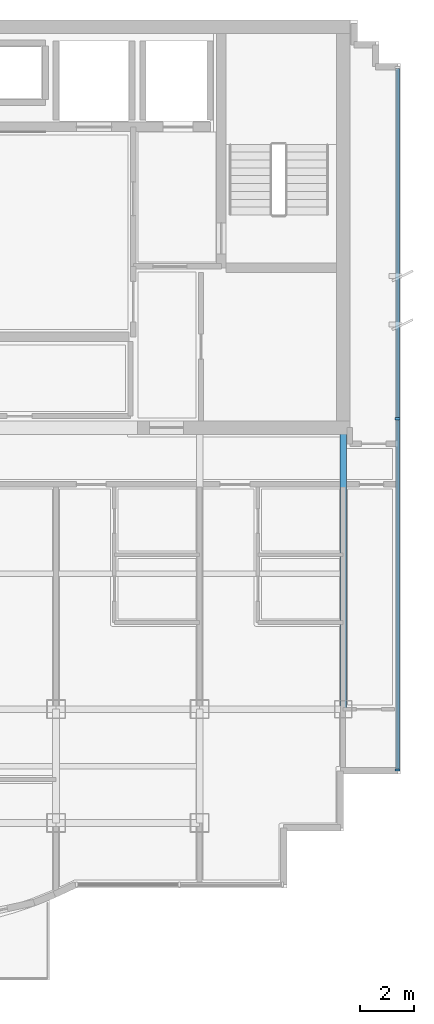
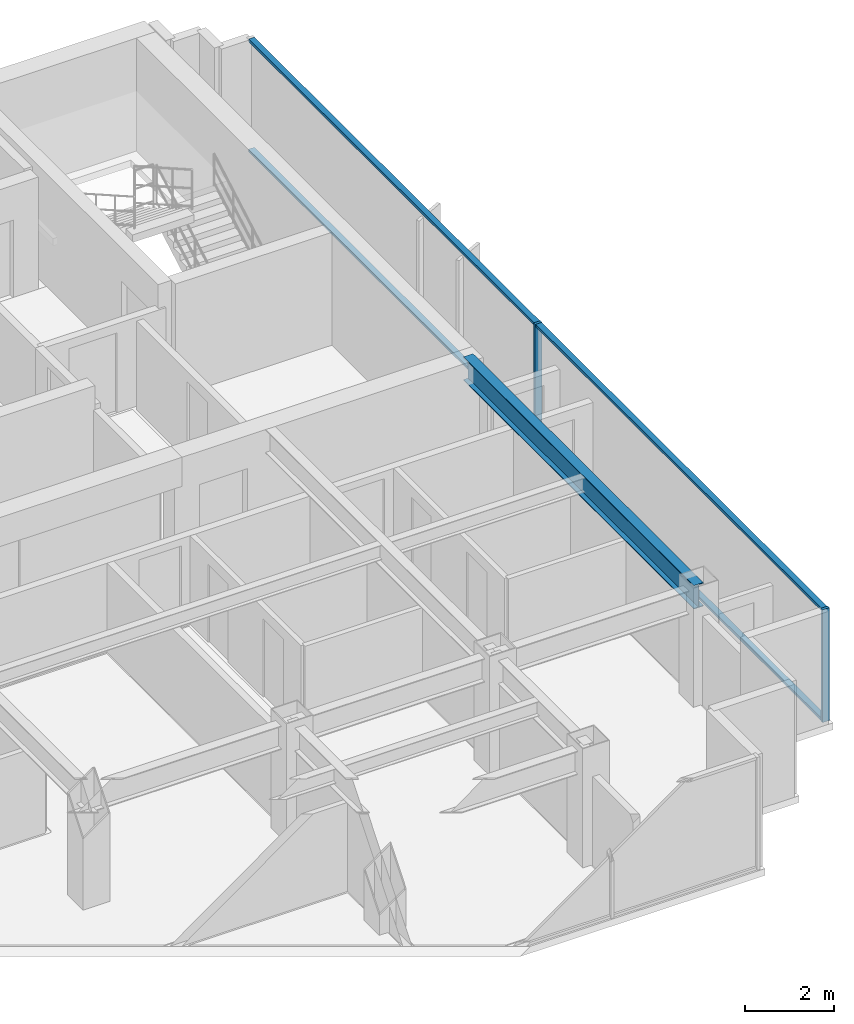
# One storey, part 3 of 10: 6 members, 1 beam, 1 element without a shape of its own.
"""IFC4 building model written with IfcOpenShell, lengths in metres."""

import ifcopenshell
import ifcopenshell.guid

model = None  # the IFC model being written
_history = None  # IfcOwnerHistory: only IFC2X3 demands one
_inside = {}  # id of a spatial element -> (the spatial element, [elements in it])
_under = {}  # id of a project, library or spatial element -> (it, [spatial elements below it])
_declared = {}  # id of a project -> (the project, [libraries it declares])
_typed = {}  # id of a type object -> (the type object, [elements of that type])
_made_of = {}  # id of a material, layer set ... -> (it, [elements and type objects made of it])


def new_model(schema):
    """Start an empty IFC model of exactly this schema.

    Asked for "IFC4X3", IfcOpenShell would pick the latest addendum, in which some entities
    have other attributes; the version numbers below select the first issue.
    IFC2X3 requires an IfcOwnerHistory on every rooted entity: one is made here for all.
    """
    global model, _history
    if schema == "IFC4X3":
        model = ifcopenshell.file(schema_version=(4, 3, 0, 0))
    else:
        model = ifcopenshell.file(schema=schema)
    _inside.clear()
    _under.clear()
    _declared.clear()
    _typed.clear()
    _made_of.clear()
    _history = None
    if model.schema == "IFC2X3":
        org = make("IfcOrganization", Name="unknown")
        user = make(
            "IfcPersonAndOrganization",
            ThePerson=make("IfcPerson", FamilyName="unknown"),
            TheOrganization=org,
        )
        app = make(
            "IfcApplication",
            ApplicationDeveloper=org,
            Version="unknown",
            ApplicationFullName="unknown",
            ApplicationIdentifier="unknown",
        )
        _history = make(
            "IfcOwnerHistory",
            OwningUser=user,
            OwningApplication=app,
            ChangeAction="ADDED",
            CreationDate=0,
        )
    return model


def make(cls, **values):
    """One entity of the class cls with the attributes given. An attribute that is None is left unset."""
    return model.create_entity(
        cls, **{name: value for name, value in values.items() if value is not None}
    )


def rooted(cls, **values):
    """An entity with a GlobalId (a new one), such as an element, a storey or a relation."""
    return make(cls, GlobalId=ifcopenshell.guid.new(), OwnerHistory=_history, **values)


def si_unit(unit_type, name, prefix=None):
    """IfcSIUnit, for example si_unit("LENGTHUNIT", "METRE", prefix="MILLI")."""
    return make("IfcSIUnit", UnitType=unit_type, Prefix=prefix, Name=name)


def assignment(units):
    """IfcUnitAssignment: the units of a project."""
    return None if units is None else make("IfcUnitAssignment", Units=units)


def point(xyz):
    """IfcCartesianPoint."""
    return None if xyz is None else make("IfcCartesianPoint", Coordinates=xyz)


def direction(xyz):
    """IfcDirection."""
    return None if xyz is None else make("IfcDirection", DirectionRatios=xyz)


def frame(location, z_axis=None, x_axis=None):
    """IfcAxis2Placement3D, a coordinate frame: its origin and axes. An axis left out is left unset."""
    return make(
        "IfcAxis2Placement3D",
        Location=point(location),
        Axis=direction(z_axis),
        RefDirection=direction(x_axis),
    )


def frame_2d(location, x_axis=None):
    """IfcAxis2Placement2D, a coordinate frame in the plane: its origin and x axis."""
    return make(
        "IfcAxis2Placement2D", Location=point(location), RefDirection=direction(x_axis)
    )


def origin():
    """The frame at (0, 0, 0) with its axes left unset."""
    return frame((0.0, 0.0, 0.0))


def origin_2d():
    """The frame at (0, 0) in the plane with its x axis left unset."""
    return frame_2d((0.0, 0.0))


def place(relative_to, where):
    """IfcLocalPlacement: puts the frame where relative to a parent placement (None: the world)."""
    return make(
        "IfcLocalPlacement", PlacementRelTo=relative_to, RelativePlacement=where
    )


def context(
    kind, dimensions, precision=None, world=None, true_north=None, identifier=None
):
    """IfcGeometricRepresentationContext, for example the 3D "Model" context."""
    return make(
        "IfcGeometricRepresentationContext",
        ContextIdentifier=identifier,
        ContextType=kind,
        CoordinateSpaceDimension=dimensions,
        Precision=precision,
        WorldCoordinateSystem=world,
        TrueNorth=true_north,
    )


def subcontext(parent, identifier, kind, view, scale=None):
    """IfcGeometricRepresentationSubContext, for example "Body" below "Model"."""
    return make(
        "IfcGeometricRepresentationSubContext",
        ContextIdentifier=identifier,
        ContextType=kind,
        ParentContext=parent,
        TargetScale=scale,
        TargetView=view,
    )


def project(units=None, contexts=None):
    """IfcProject with its units and contexts."""
    return rooted(
        "IfcProject",
        Name="project",
        RepresentationContexts=contexts,
        UnitsInContext=assignment(units),
    )


def spatial(cls, under=None, at=None, **own):
    """A site, building, storey or space (cls), placed at a placement, below another one or the project."""
    s = rooted(cls, ObjectPlacement=at, **own)
    if under is not None:
        _under.setdefault(under.id(), (under, []))[1].append(s)
    return s


def profile(cls, at=None, kind="AREA", **sizes):
    """A parametric profile (cls). Its sizes go by their IFC names, for example OverallWidth=200.0."""
    return make(cls, ProfileType=kind, Position=at, **sizes)


def rectangle(**sizes):
    """IfcRectangleProfileDef."""
    return profile("IfcRectangleProfileDef", **sizes)


def i_section(**sizes):
    """IfcIShapeProfileDef."""
    return profile("IfcIShapeProfileDef", **sizes)


def extrude(swept, where, along, depth):
    """IfcExtrudedAreaSolid: the profile swept, set in the frame where, extruded along a direction by depth."""
    return make(
        "IfcExtrudedAreaSolid",
        SweptArea=swept,
        Position=where,
        ExtrudedDirection=direction(along),
        Depth=depth,
    )


def shape(context_of_items, identifier, shape_type, items):
    """IfcShapeRepresentation: the items that make up one representation, for example the "Body"."""
    return make(
        "IfcShapeRepresentation",
        ContextOfItems=context_of_items,
        RepresentationIdentifier=identifier,
        RepresentationType=shape_type,
        Items=items,
    )


def source(mapping_origin, context_of_items, identifier, shape_type, items):
    """IfcRepresentationMap: a shape defined once, which mapped items show again and again."""
    return make(
        "IfcRepresentationMap",
        MappingOrigin=mapping_origin,
        MappedRepresentation=shape(context_of_items, identifier, shape_type, items),
    )


def transform(
    local_origin,
    x_axis=None,
    y_axis=None,
    z_axis=None,
    scale=None,
    scale2=None,
    scale3=None,
    uniform=True,
):
    """IfcCartesianTransformationOperator3D, or its non-uniform kind. x_axis, y_axis, z_axis: its Axis1, 2, 3."""
    if uniform:
        return make(
            "IfcCartesianTransformationOperator3D",
            Axis1=direction(x_axis),
            Axis2=direction(y_axis),
            LocalOrigin=point(local_origin),
            Scale=scale,
            Axis3=direction(z_axis),
        )
    return make(
        "IfcCartesianTransformationOperator3DnonUniform",
        Axis1=direction(x_axis),
        Axis2=direction(y_axis),
        LocalOrigin=point(local_origin),
        Scale=scale,
        Axis3=direction(z_axis),
        Scale2=scale2,
        Scale3=scale3,
    )


def mapped(mapping_source, mapping_target):
    """IfcMappedItem: shows the shape of a source again, moved by a transform."""
    return make(
        "IfcMappedItem", MappingSource=mapping_source, MappingTarget=mapping_target
    )


def material(Name=None, Category=None):
    """IfcMaterial."""
    return make("IfcMaterial", Name=Name, Category=Category)


def layer(
    of_material, thickness, ventilated=None, Name=None, Category=None, Priority=None
):
    """IfcMaterialLayer: one layer of a wall or slab, of a material (None: an air gap)."""
    return make(
        "IfcMaterialLayer",
        Material=of_material,
        LayerThickness=thickness,
        IsVentilated=ventilated,
        Name=Name,
        Category=Category,
        Priority=Priority,
    )


def layer_set(layers, Name=None):
    """IfcMaterialLayerSet."""
    return make("IfcMaterialLayerSet", MaterialLayers=layers, LayerSetName=Name)


def material_profile(
    of_material, cross_section, Name=None, Category=None, Priority=None
):
    """IfcMaterialProfile: a cross section and its material."""
    return make(
        "IfcMaterialProfile",
        Name=Name,
        Material=of_material,
        Profile=cross_section,
        Priority=Priority,
        Category=Category,
    )


def profile_set(profiles, Name=None, composite=None):
    """IfcMaterialProfileSet."""
    return make(
        "IfcMaterialProfileSet",
        Name=Name,
        MaterialProfiles=profiles,
        CompositeProfile=composite,
    )


def made_of(thing, what):
    """Note that an element or type object is made of a material, layer set ...; save() writes the relation."""
    if what is not None:
        _made_of.setdefault(what.id(), (what, []))[1].append(thing)
    return thing


def type_object(cls, material=None, **own):
    """A type object (cls), such as IfcWallType, which elements share."""
    return made_of(rooted(cls, **own), material)


def element(
    cls,
    number,
    at=None,
    inside=None,
    cuts=None,
    type_object=None,
    material=None,
    context=None,
    identifier="Body",
    shape_type=None,
    held_by="IfcProductDefinitionShape",
    body=None,
    shapes=None,
    **own,
):
    """One element of the class cls, such as IfcWall. Its Tag is "e" and its number.

    at: its placement. inside: the storey or other place that contains it. cuts: it is an
    opening in that element (IfcRelVoidsElement). A single representation is given by context,
    identifier, shape_type and body (its items); several are given by shapes. held_by: the class
    of the entity that holds the representations. save() writes the other relations.
    """
    e = rooted(cls, Tag="e%d" % number, ObjectPlacement=at, **own)
    if body is not None:
        shapes = [shape(context, identifier, shape_type, body)]
    if shapes is not None:
        e.Representation = make(held_by, Representations=shapes)
    if inside is not None:
        _inside.setdefault(inside.id(), (inside, []))[1].append(e)
    if cuts is not None:
        rooted(
            "IfcRelVoidsElement", RelatingBuildingElement=cuts, RelatedOpeningElement=e
        )
    if type_object is not None:
        _typed.setdefault(type_object.id(), (type_object, []))[1].append(e)
    return made_of(e, material)


def aggregate(whole, parts):
    """IfcRelAggregates: a whole, such as a stair, and the parts it consists of."""
    return rooted("IfcRelAggregates", RelatingObject=whole, RelatedObjects=parts)


def save(model, path):
    """Write the relations noted so far, then the file.

    IfcRelAggregates (storeys below a building ...), IfcRelContainedInSpatialStructure (elements
    in a storey), IfcRelDefinesByType, IfcRelAssociatesMaterial and IfcRelDeclares: one each for
    every whole, place, type object, material and project.
    """
    for whole, parts in _under.values():
        aggregate(whole, parts)
    for where, things in _inside.values():
        rooted(
            "IfcRelContainedInSpatialStructure",
            RelatedElements=things,
            RelatingStructure=where,
        )
    for kind, things in _typed.values():
        rooted("IfcRelDefinesByType", RelatedObjects=things, RelatingType=kind)
    for what, things in _made_of.values():
        rooted("IfcRelAssociatesMaterial", RelatedObjects=things, RelatingMaterial=what)
    for by, libraries in _declared.values():
        rooted("IfcRelDeclares", RelatingContext=by, RelatedDefinitions=libraries)
    model.write(path)


model = new_model("IFC4")

# Units and contexts
model_context = context("Model", 3, precision=1e-05, world=origin(), true_north=direction((0.0, 1.0)))
body_context = subcontext(model_context, "Body", "Model", "MODEL_VIEW")
ifc_project = project(units=[si_unit("LENGTHUNIT", "METRE"), si_unit("AREAUNIT", "SQUARE_METRE"), si_unit("VOLUMEUNIT", "CUBIC_METRE"), si_unit("PLANEANGLEUNIT", "RADIAN"), si_unit("MASSUNIT", "GRAM", prefix="KILO")], contexts=[model_context])

# Site, building, storey
site_placement = place(None, origin())
site = spatial("IfcSite", under=ifc_project, at=site_placement, CompositionType="ELEMENT")
building_placement = place(site_placement, origin())
building = spatial("IfcBuilding", under=site, at=building_placement, Name="Qianlan Lanfeng Residences", CompositionType="ELEMENT")
storey_placement = place(building_placement, frame((0.0, 0.0, 239.60009765625)))
storey = spatial("IfcBuildingStorey", under=building, at=storey_placement, Name="L66", CompositionType="ELEMENT", Elevation=239.60009765625)

# Beam
ifc_material_1 = material(Name="Steel SN490B", Category="steel")
ifc_material_profile_1 = material_profile(ifc_material_1, i_section(OverallWidth=0.25, OverallDepth=0.64990234375, WebThickness=0.012939453125, FlangeThickness=0.02197265625, at=origin_2d()), Name="H 650x250x13x22")
ifc_profile_set_1 = profile_set([ifc_material_profile_1], Name="Steel SN490B")
beam_type = type_object("IfcBeamType", Name="G-650", PredefinedType="BEAM", material=ifc_profile_set_1)
beam_placement = place(storey_placement, frame((42.39990234375, 14.800048828125, 2.784912109375), z_axis=(0.0, 1.0, 0.0), x_axis=(-1.0, 0.0, 0.0)))
element("IfcBeam", 1, at=beam_placement, inside=storey, type_object=beam_type, Name="Structural beam G-650", PredefinedType="BEAM", context=body_context, shape_type="SweptSolid", body=[
    extrude(i_section(OverallWidth=0.25, OverallDepth=0.64990234375, WebThickness=0.012939453125, FlangeThickness=0.02197265625, at=origin_2d()), origin(), (0.0, 0.0, 1.0), 10.39990234375),
])

# Curtain wall, members
ifc_material_2 = material(Name="Anodised Bronze Aluminium 6063-T6", Category="aluminium")
ifc_layer = layer(ifc_material_2, 0.219970703125)
ifc_layer_set = layer_set([ifc_layer], Name="Anodised Bronze Aluminium 6063-T6")
curtain_wall_type = type_object("IfcCurtainWallType", Name="CW-06", PredefinedType="NOTDEFINED", material=ifc_layer_set)
curtain_wall_placement = place(storey_placement, origin())
curtain_wall = element("IfcCurtainWall", 2, at=curtain_wall_placement, inside=storey, type_object=curtain_wall_type, Name="L66 Unitised Curtain Wall CWR-L66-03 (CW-06)", PredefinedType="NOTDEFINED")
ifc_material_profile_2 = material_profile(ifc_material_2, rectangle(XDim=0.074951171875, YDim=0.179931640625, at=origin_2d()), Name="ALU MULLION 75x180")
ifc_profile_set_2 = profile_set([ifc_material_profile_2], Name="Anodised Bronze Aluminium 6063-T6")
member_type_1 = type_object("IfcMemberType", Name="CWM-180", PredefinedType="MULLION", material=ifc_profile_set_2)
shared_shape_1 = source(origin(), body_context, "Body", "SweptSolid", [
    extrude(rectangle(XDim=0.074951171875, YDim=0.179931640625, at=origin_2d()), origin(), (0.0, 0.0, 1.0), 3.10986328125),
])
member_1_placement = place(storey_placement, frame((44.39990234375, 12.5576171875, 0.0), z_axis=(0.0, 0.0, 1.0), x_axis=(0.0, 1.0, 0.0)))
member_1 = element("IfcMember", 3, at=member_1_placement, type_object=member_type_1, Name="CWR-L66-03 Mullion 1", PredefinedType="MULLION", context=body_context, shape_type="MappedRepresentation", body=[
    mapped(shared_shape_1, transform((0.0, 0.0, 0.0), scale=1.0)),
])
member_2_placement = place(storey_placement, frame((44.39990234375, 25.52490234375, 0.0), z_axis=(0.0, 0.0, 1.0), x_axis=(0.0, 1.0, 0.0)))
member_2 = element("IfcMember", 4, at=member_2_placement, type_object=member_type_1, Name="CWR-L66-03 Mullion 2", PredefinedType="MULLION", context=body_context, shape_type="MappedRepresentation", body=[
    mapped(shared_shape_1, transform((0.0, 0.0, 0.0), scale=1.0)),
])
ifc_material_profile_3 = material_profile(ifc_material_2, rectangle(XDim=0.074951171875, YDim=0.14990234375, at=origin_2d()), Name="ALU TRANSOM 75x150")
ifc_profile_set_3 = profile_set([ifc_material_profile_3], Name="Anodised Bronze Aluminium 6063-T6")
member_type_2 = type_object("IfcMemberType", Name="CWT-150", PredefinedType="USERDEFINED", material=ifc_profile_set_3)
shared_shape_2 = source(origin(), body_context, "Body", "SweptSolid", [
    extrude(rectangle(XDim=0.074951171875, YDim=0.14990234375, at=origin_2d()), origin(), (0.0, 0.0, 1.0), 12.892578125),
])
member_3_placement = place(storey_placement, frame((44.39990234375, 12.594970703125, 0.037353515625), z_axis=(0.0, 1.0, 0.0), x_axis=(0.0, 0.0, 1.0)))
member_3 = element("IfcMember", 5, at=member_3_placement, type_object=member_type_2, Name="CWR-L66-03 Transom 1-BOT", ObjectType="TRANSOM", PredefinedType="USERDEFINED", context=body_context, shape_type="MappedRepresentation", body=[
    mapped(shared_shape_2, transform((0.0, 0.0, 0.0), scale=1.0)),
])
member_4_placement = place(storey_placement, frame((44.39990234375, 12.594970703125, 3.072509765625), z_axis=(0.0, 1.0, 0.0), x_axis=(0.0, 0.0, 1.0)))
member_4 = element("IfcMember", 6, at=member_4_placement, type_object=member_type_2, Name="CWR-L66-03 Transom 1-TOP", ObjectType="TRANSOM", PredefinedType="USERDEFINED", context=body_context, shape_type="MappedRepresentation", body=[
    mapped(shared_shape_2, transform((0.0, 0.0, 0.0), scale=1.0)),
])
member_5_placement = place(storey_placement, frame((44.39990234375, 25.5625, 0.037353515625), z_axis=(0.0, 1.0, 0.0), x_axis=(0.0, 0.0, 1.0)))
member_5 = element("IfcMember", 7, at=member_5_placement, type_object=member_type_2, Name="CWR-L66-03 Transom 2-BOT", ObjectType="TRANSOM", PredefinedType="USERDEFINED", context=body_context, shape_type="MappedRepresentation", body=[
    mapped(shared_shape_2, transform((0.0, 0.0, 0.0), scale=1.0)),
])
member_6_placement = place(storey_placement, frame((44.39990234375, 25.5625, 3.072509765625), z_axis=(0.0, 1.0, 0.0), x_axis=(0.0, 0.0, 1.0)))
member_6 = element("IfcMember", 8, at=member_6_placement, type_object=member_type_2, Name="CWR-L66-03 Transom 2-TOP", ObjectType="TRANSOM", PredefinedType="USERDEFINED", context=body_context, shape_type="MappedRepresentation", body=[
    mapped(shared_shape_2, transform((0.0, 0.0, 0.0), scale=1.0)),
])
aggregate(curtain_wall, [member_1, member_2, member_3, member_4, member_5, member_6])

save(model, "model.ifc")
